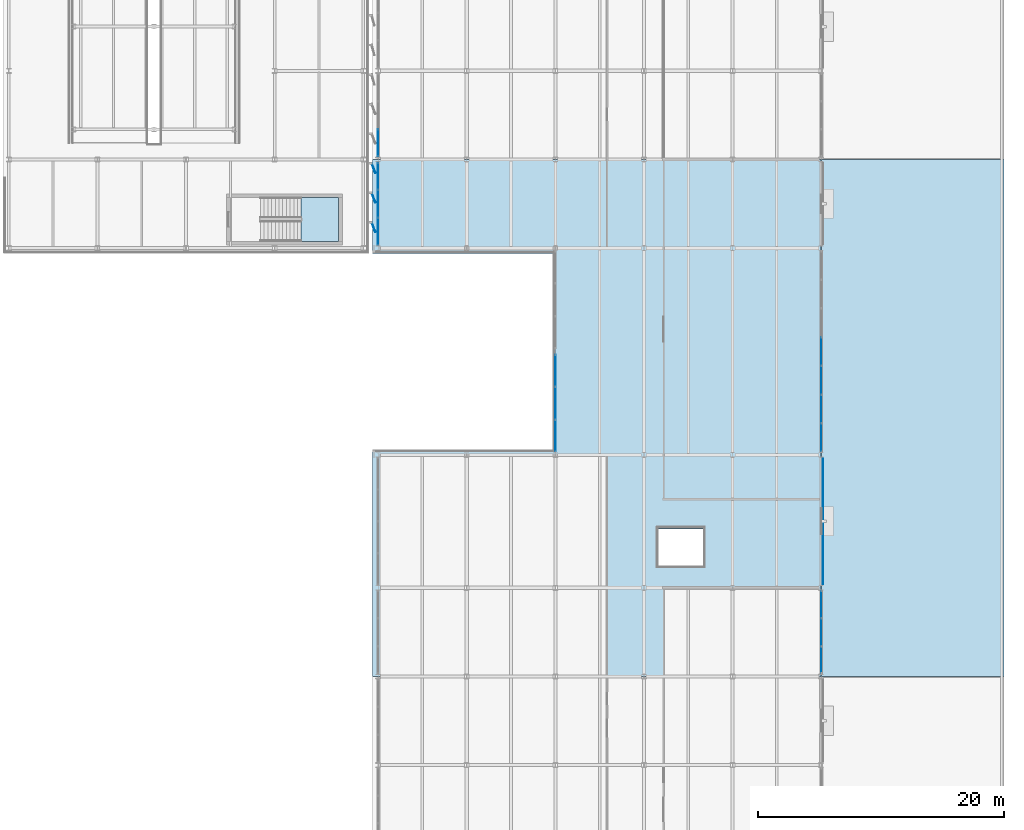
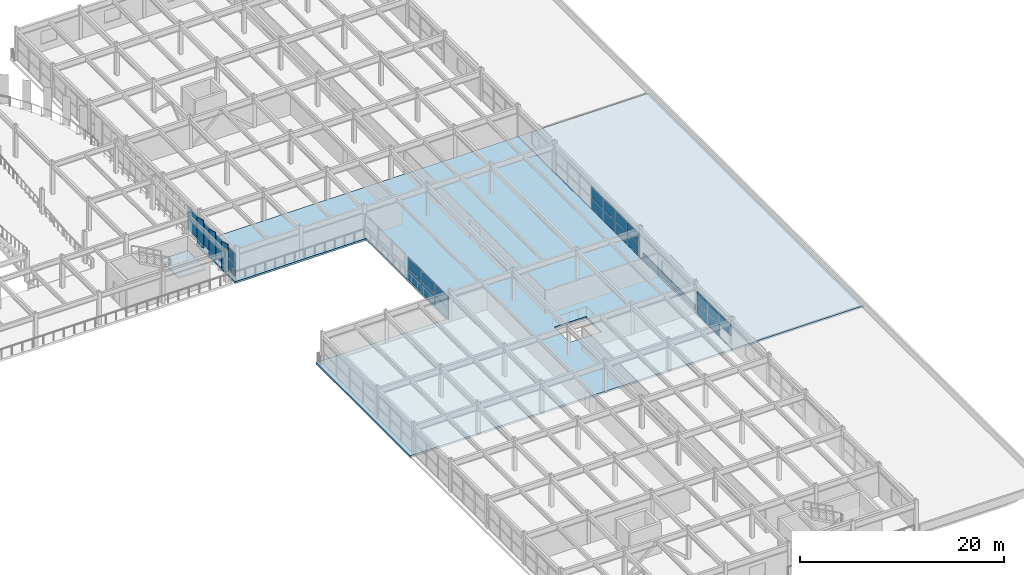
# One storey, part 44 of 80: 31 plates, 3 slabs, 6 elements without a shape of their own.
"""IFC4 building model written with IfcOpenShell, lengths in metres."""

import ifcopenshell
import ifcopenshell.guid

model = None  # the IFC model being written
_history = None  # IfcOwnerHistory: only IFC2X3 demands one
_inside = {}  # id of a spatial element -> (the spatial element, [elements in it])
_under = {}  # id of a project, library or spatial element -> (it, [spatial elements below it])
_declared = {}  # id of a project -> (the project, [libraries it declares])
_typed = {}  # id of a type object -> (the type object, [elements of that type])
_made_of = {}  # id of a material, layer set ... -> (it, [elements and type objects made of it])


def new_model(schema):
    """Start an empty IFC model of exactly this schema.

    Asked for "IFC4X3", IfcOpenShell would pick the latest addendum, in which some entities
    have other attributes; the version numbers below select the first issue.
    IFC2X3 requires an IfcOwnerHistory on every rooted entity: one is made here for all.
    """
    global model, _history
    if schema == "IFC4X3":
        model = ifcopenshell.file(schema_version=(4, 3, 0, 0))
    else:
        model = ifcopenshell.file(schema=schema)
    _inside.clear()
    _under.clear()
    _declared.clear()
    _typed.clear()
    _made_of.clear()
    _history = None
    if model.schema == "IFC2X3":
        org = make("IfcOrganization", Name="unknown")
        user = make(
            "IfcPersonAndOrganization",
            ThePerson=make("IfcPerson", FamilyName="unknown"),
            TheOrganization=org,
        )
        app = make(
            "IfcApplication",
            ApplicationDeveloper=org,
            Version="unknown",
            ApplicationFullName="unknown",
            ApplicationIdentifier="unknown",
        )
        _history = make(
            "IfcOwnerHistory",
            OwningUser=user,
            OwningApplication=app,
            ChangeAction="ADDED",
            CreationDate=0,
        )
    return model


def make(cls, **values):
    """One entity of the class cls with the attributes given. An attribute that is None is left unset."""
    return model.create_entity(
        cls, **{name: value for name, value in values.items() if value is not None}
    )


def rooted(cls, **values):
    """An entity with a GlobalId (a new one), such as an element, a storey or a relation."""
    return make(cls, GlobalId=ifcopenshell.guid.new(), OwnerHistory=_history, **values)


def si_unit(unit_type, name, prefix=None):
    """IfcSIUnit, for example si_unit("LENGTHUNIT", "METRE", prefix="MILLI")."""
    return make("IfcSIUnit", UnitType=unit_type, Prefix=prefix, Name=name)


def assignment(units):
    """IfcUnitAssignment: the units of a project."""
    return None if units is None else make("IfcUnitAssignment", Units=units)


def point(xyz):
    """IfcCartesianPoint."""
    return None if xyz is None else make("IfcCartesianPoint", Coordinates=xyz)


def direction(xyz):
    """IfcDirection."""
    return None if xyz is None else make("IfcDirection", DirectionRatios=xyz)


def frame(location, z_axis=None, x_axis=None):
    """IfcAxis2Placement3D, a coordinate frame: its origin and axes. An axis left out is left unset."""
    return make(
        "IfcAxis2Placement3D",
        Location=point(location),
        Axis=direction(z_axis),
        RefDirection=direction(x_axis),
    )


def frame_2d(location, x_axis=None):
    """IfcAxis2Placement2D, a coordinate frame in the plane: its origin and x axis."""
    return make(
        "IfcAxis2Placement2D", Location=point(location), RefDirection=direction(x_axis)
    )


def origin():
    """The frame at (0, 0, 0) with its axes left unset."""
    return frame((0.0, 0.0, 0.0))


def origin_2d():
    """The frame at (0, 0) in the plane with its x axis left unset."""
    return frame_2d((0.0, 0.0))


def place(relative_to, where):
    """IfcLocalPlacement: puts the frame where relative to a parent placement (None: the world)."""
    return make(
        "IfcLocalPlacement", PlacementRelTo=relative_to, RelativePlacement=where
    )


def context(
    kind, dimensions, precision=None, world=None, true_north=None, identifier=None
):
    """IfcGeometricRepresentationContext, for example the 3D "Model" context."""
    return make(
        "IfcGeometricRepresentationContext",
        ContextIdentifier=identifier,
        ContextType=kind,
        CoordinateSpaceDimension=dimensions,
        Precision=precision,
        WorldCoordinateSystem=world,
        TrueNorth=true_north,
    )


def subcontext(parent, identifier, kind, view, scale=None):
    """IfcGeometricRepresentationSubContext, for example "Body" below "Model"."""
    return make(
        "IfcGeometricRepresentationSubContext",
        ContextIdentifier=identifier,
        ContextType=kind,
        ParentContext=parent,
        TargetScale=scale,
        TargetView=view,
    )


def project(units=None, contexts=None):
    """IfcProject with its units and contexts."""
    return rooted(
        "IfcProject",
        Name="project",
        RepresentationContexts=contexts,
        UnitsInContext=assignment(units),
    )


def spatial(cls, under=None, at=None, **own):
    """A site, building, storey or space (cls), placed at a placement, below another one or the project."""
    s = rooted(cls, ObjectPlacement=at, **own)
    if under is not None:
        _under.setdefault(under.id(), (under, []))[1].append(s)
    return s


def polyline(points):
    """IfcPolyline through the points."""
    return make("IfcPolyline", Points=[point(p) for p in points])


def profile(cls, at=None, kind="AREA", **sizes):
    """A parametric profile (cls). Its sizes go by their IFC names, for example OverallWidth=200.0."""
    return make(cls, ProfileType=kind, Position=at, **sizes)


def rectangle(**sizes):
    """IfcRectangleProfileDef."""
    return profile("IfcRectangleProfileDef", **sizes)


def outline(outer, holes=None, kind="AREA"):
    """IfcArbitraryClosedProfileDef: a profile drawn as a closed curve; with holes, ...WithVoids."""
    if holes is None:
        return make("IfcArbitraryClosedProfileDef", ProfileType=kind, OuterCurve=outer)
    return make(
        "IfcArbitraryProfileDefWithVoids",
        ProfileType=kind,
        OuterCurve=outer,
        InnerCurves=holes,
    )


def extrude(swept, where, along, depth):
    """IfcExtrudedAreaSolid: the profile swept, set in the frame where, extruded along a direction by depth."""
    return make(
        "IfcExtrudedAreaSolid",
        SweptArea=swept,
        Position=where,
        ExtrudedDirection=direction(along),
        Depth=depth,
    )


def shape(context_of_items, identifier, shape_type, items):
    """IfcShapeRepresentation: the items that make up one representation, for example the "Body"."""
    return make(
        "IfcShapeRepresentation",
        ContextOfItems=context_of_items,
        RepresentationIdentifier=identifier,
        RepresentationType=shape_type,
        Items=items,
    )


def material(Name=None, Category=None):
    """IfcMaterial."""
    return make("IfcMaterial", Name=Name, Category=Category)


def layer(
    of_material, thickness, ventilated=None, Name=None, Category=None, Priority=None
):
    """IfcMaterialLayer: one layer of a wall or slab, of a material (None: an air gap)."""
    return make(
        "IfcMaterialLayer",
        Material=of_material,
        LayerThickness=thickness,
        IsVentilated=ventilated,
        Name=Name,
        Category=Category,
        Priority=Priority,
    )


def layer_set(layers, Name=None):
    """IfcMaterialLayerSet."""
    return make("IfcMaterialLayerSet", MaterialLayers=layers, LayerSetName=Name)


def made_of(thing, what):
    """Note that an element or type object is made of a material, layer set ...; save() writes the relation."""
    if what is not None:
        _made_of.setdefault(what.id(), (what, []))[1].append(thing)
    return thing


def type_object(cls, material=None, **own):
    """A type object (cls), such as IfcWallType, which elements share."""
    return made_of(rooted(cls, **own), material)


def element(
    cls,
    number,
    at=None,
    inside=None,
    cuts=None,
    type_object=None,
    material=None,
    context=None,
    identifier="Body",
    shape_type=None,
    held_by="IfcProductDefinitionShape",
    body=None,
    shapes=None,
    **own,
):
    """One element of the class cls, such as IfcWall. Its Tag is "e" and its number.

    at: its placement. inside: the storey or other place that contains it. cuts: it is an
    opening in that element (IfcRelVoidsElement). A single representation is given by context,
    identifier, shape_type and body (its items); several are given by shapes. held_by: the class
    of the entity that holds the representations. save() writes the other relations.
    """
    e = rooted(cls, Tag="e%d" % number, ObjectPlacement=at, **own)
    if body is not None:
        shapes = [shape(context, identifier, shape_type, body)]
    if shapes is not None:
        e.Representation = make(held_by, Representations=shapes)
    if inside is not None:
        _inside.setdefault(inside.id(), (inside, []))[1].append(e)
    if cuts is not None:
        rooted(
            "IfcRelVoidsElement", RelatingBuildingElement=cuts, RelatedOpeningElement=e
        )
    if type_object is not None:
        _typed.setdefault(type_object.id(), (type_object, []))[1].append(e)
    return made_of(e, material)


def aggregate(whole, parts):
    """IfcRelAggregates: a whole, such as a stair, and the parts it consists of."""
    return rooted("IfcRelAggregates", RelatingObject=whole, RelatedObjects=parts)


def save(model, path):
    """Write the relations noted so far, then the file.

    IfcRelAggregates (storeys below a building ...), IfcRelContainedInSpatialStructure (elements
    in a storey), IfcRelDefinesByType, IfcRelAssociatesMaterial and IfcRelDeclares: one each for
    every whole, place, type object, material and project.
    """
    for whole, parts in _under.values():
        aggregate(whole, parts)
    for where, things in _inside.values():
        rooted(
            "IfcRelContainedInSpatialStructure",
            RelatedElements=things,
            RelatingStructure=where,
        )
    for kind, things in _typed.values():
        rooted("IfcRelDefinesByType", RelatedObjects=things, RelatingType=kind)
    for what, things in _made_of.values():
        rooted("IfcRelAssociatesMaterial", RelatedObjects=things, RelatingMaterial=what)
    for by, libraries in _declared.values():
        rooted("IfcRelDeclares", RelatingContext=by, RelatedDefinitions=libraries)
    model.write(path)


model = new_model("IFC4")

# Units and contexts
model_context = context("Model", 3, precision=1e-05, world=origin(), true_north=direction((0.0, 1.0)))
body_context = subcontext(model_context, "Body", "Model", "MODEL_VIEW")
ifc_project = project(units=[si_unit("LENGTHUNIT", "METRE"), si_unit("AREAUNIT", "SQUARE_METRE"), si_unit("VOLUMEUNIT", "CUBIC_METRE"), si_unit("PLANEANGLEUNIT", "RADIAN"), si_unit("MASSUNIT", "GRAM", prefix="KILO")], contexts=[model_context])

# Site, building, storey
site_placement = place(None, origin())
site = spatial("IfcSite", under=ifc_project, at=site_placement, CompositionType="ELEMENT")
building_placement = place(site_placement, origin())
building = spatial("IfcBuilding", under=site, at=building_placement, Name="Vaelcorin Mobility Hub", CompositionType="ELEMENT")
storey_placement = place(building_placement, frame((0.0, 0.0, 9.300048828125)))
storey = spatial("IfcBuildingStorey", under=building, at=storey_placement, Name="L02", CompositionType="ELEMENT", Elevation=9.300048828125)

# Curtain wall, plates
ifc_material_1 = material(Name="Anodised aluminium 6063-T6", Category="aluminium")
curtain_wall_type = type_object("IfcCurtainWallType", Name="CW-MOB-A", PredefinedType="NOTDEFINED", material=ifc_material_1)
curtain_wall_1_placement = place(storey_placement, origin())
curtain_wall_1 = element("IfcCurtainWall", 1, at=curtain_wall_1_placement, inside=storey, type_object=curtain_wall_type, Name="L02 Curtain Wall CW-V5-L02-E-06", PredefinedType="NOTDEFINED")
ifc_material_2 = material(Name="Low-E solar-control insulated glazing", Category="glass")
ifc_layer_1 = layer(ifc_material_2, 0.028076171875)
ifc_layer_set_1 = layer_set([ifc_layer_1], Name="Low-E solar-control insulated glazing")
plate_type_1 = type_object("IfcPlateType", Name="CW-PAN-GLZ28", PredefinedType="CURTAIN_PANEL", material=ifc_layer_set_1)
plate_1_placement = place(storey_placement, frame((189.60009765625, 47.83837890625, 0.06005859375), z_axis=(0.0, 0.0, 1.0), x_axis=(0.0, -1.0, 0.0)))
plate_1 = element("IfcPlate", 2, at=plate_1_placement, type_object=plate_type_1, Name="CW7 panel 1.1", PredefinedType="CURTAIN_PANEL", context=body_context, shape_type="SweptSolid", body=[
    extrude(rectangle(XDim=2.163330078125, YDim=0.028076171875, at=origin_2d()), origin(), (0.0, 0.0, 1.0), 1.323974609375),
])
plate_2_placement = place(storey_placement, frame((189.60009765625, 47.83837890625, 1.44384765625), z_axis=(0.0, 0.0, 1.0), x_axis=(0.0, -1.0, 0.0)))
plate_2 = element("IfcPlate", 3, at=plate_2_placement, type_object=plate_type_1, Name="CW7 panel 1.2", PredefinedType="CURTAIN_PANEL", context=body_context, shape_type="SweptSolid", body=[
    extrude(rectangle(XDim=2.163330078125, YDim=0.028076171875, at=origin_2d()), origin(), (0.0, 0.0, 1.0), 1.323974609375),
])
plate_3_placement = place(storey_placement, frame((189.60009765625, 45.60009765625, 0.06005859375), z_axis=(0.0, 0.0, 1.0), x_axis=(0.0, -1.0, 0.0)))
plate_3 = element("IfcPlate", 4, at=plate_3_placement, type_object=plate_type_1, Name="CW7 panel 2.1", PredefinedType="CURTAIN_PANEL", context=body_context, shape_type="SweptSolid", body=[
    extrude(rectangle(XDim=2.193359375, YDim=0.028076171875, at=origin_2d()), origin(), (0.0, 0.0, 1.0), 1.323974609375),
])
plate_4_placement = place(storey_placement, frame((189.60009765625, 45.60009765625, 1.44384765625), z_axis=(0.0, 0.0, 1.0), x_axis=(0.0, -1.0, 0.0)))
plate_4 = element("IfcPlate", 5, at=plate_4_placement, type_object=plate_type_1, Name="CW7 panel 2.2", PredefinedType="CURTAIN_PANEL", context=body_context, shape_type="SweptSolid", body=[
    extrude(rectangle(XDim=2.193359375, YDim=0.028076171875, at=origin_2d()), origin(), (0.0, 0.0, 1.0), 1.323974609375),
])
plate_5_placement = place(storey_placement, frame((189.60009765625, 43.361572265625, 1.44384765625), z_axis=(0.0, 0.0, 1.0), x_axis=(0.0, -1.0, 0.0)))
plate_5 = element("IfcPlate", 6, at=plate_5_placement, type_object=plate_type_1, Name="CW7 panel 3.2", PredefinedType="CURTAIN_PANEL", context=body_context, shape_type="SweptSolid", body=[
    extrude(rectangle(XDim=2.163330078125, YDim=0.028076171875, at=origin_2d()), origin(), (0.0, 0.0, 1.0), 1.323974609375),
])
aggregate(curtain_wall_1, [plate_1, plate_2, plate_3, plate_4, plate_5])

curtain_wall_2_placement = place(storey_placement, origin())
curtain_wall_2 = element("IfcCurtainWall", 7, at=curtain_wall_2_placement, inside=storey, type_object=curtain_wall_type, Name="L02 Curtain Wall CW-V5-L02-E-08", PredefinedType="NOTDEFINED")
plate_6_placement = place(storey_placement, frame((189.60009765625, 68.39990234375, 0.06005859375), z_axis=(0.0, 0.0, 1.0), x_axis=(0.0, -1.0, 0.0)))
plate_6 = element("IfcPlate", 8, at=plate_6_placement, type_object=plate_type_1, Name="CW7 panel 4.1", PredefinedType="CURTAIN_PANEL", context=body_context, shape_type="SweptSolid", body=[
    extrude(rectangle(XDim=2.277099609375, YDim=0.028076171875, at=origin_2d()), origin(), (0.0, 0.0, 1.0), 1.323974609375),
])
plate_7_placement = place(storey_placement, frame((189.60009765625, 68.39990234375, 1.44384765625), z_axis=(0.0, 0.0, 1.0), x_axis=(0.0, -1.0, 0.0)))
plate_7 = element("IfcPlate", 9, at=plate_7_placement, type_object=plate_type_1, Name="CW7 panel 4.2", PredefinedType="CURTAIN_PANEL", context=body_context, shape_type="SweptSolid", body=[
    extrude(rectangle(XDim=2.277099609375, YDim=0.028076171875, at=origin_2d()), origin(), (0.0, 0.0, 1.0), 1.323974609375),
])
plate_8_placement = place(storey_placement, frame((189.60009765625, 66.062744140625, 0.06005859375), z_axis=(0.0, 0.0, 1.0), x_axis=(0.0, -1.0, 0.0)))
plate_8 = element("IfcPlate", 10, at=plate_8_placement, type_object=plate_type_1, Name="CW7 panel 5.1", PredefinedType="CURTAIN_PANEL", context=body_context, shape_type="SweptSolid", body=[
    extrude(rectangle(XDim=2.277099609375, YDim=0.028076171875, at=origin_2d()), origin(), (0.0, 0.0, 1.0), 1.323974609375),
])
plate_9_placement = place(storey_placement, frame((189.60009765625, 66.062744140625, 1.44384765625), z_axis=(0.0, 0.0, 1.0), x_axis=(0.0, -1.0, 0.0)))
plate_9 = element("IfcPlate", 11, at=plate_9_placement, type_object=plate_type_1, Name="CW7 panel 5.2", PredefinedType="CURTAIN_PANEL", context=body_context, shape_type="SweptSolid", body=[
    extrude(rectangle(XDim=2.277099609375, YDim=0.028076171875, at=origin_2d()), origin(), (0.0, 0.0, 1.0), 1.323974609375),
])
plate_10_placement = place(storey_placement, frame((189.60009765625, 63.725830078125, 0.06005859375), z_axis=(0.0, 0.0, 1.0), x_axis=(0.0, -1.0, 0.0)))
plate_10 = element("IfcPlate", 12, at=plate_10_placement, type_object=plate_type_1, Name="CW7 panel 6.1", PredefinedType="CURTAIN_PANEL", context=body_context, shape_type="SweptSolid", body=[
    extrude(rectangle(XDim=2.277099609375, YDim=0.028076171875, at=origin_2d()), origin(), (0.0, 0.0, 1.0), 1.323974609375),
])
plate_11_placement = place(storey_placement, frame((189.60009765625, 63.725830078125, 1.44384765625), z_axis=(0.0, 0.0, 1.0), x_axis=(0.0, -1.0, 0.0)))
plate_11 = element("IfcPlate", 13, at=plate_11_placement, type_object=plate_type_1, Name="CW7 panel 6.2", PredefinedType="CURTAIN_PANEL", context=body_context, shape_type="SweptSolid", body=[
    extrude(rectangle(XDim=2.277099609375, YDim=0.028076171875, at=origin_2d()), origin(), (0.0, 0.0, 1.0), 1.323974609375),
])
plate_12_placement = place(storey_placement, frame((189.60009765625, 61.403564453125, 0.06005859375), z_axis=(0.0, 0.0, 1.0), x_axis=(0.0, -1.0, 0.0)))
plate_12 = element("IfcPlate", 14, at=plate_12_placement, type_object=plate_type_1, Name="CW7 panel 7.1", PredefinedType="CURTAIN_PANEL", context=body_context, shape_type="SweptSolid", body=[
    extrude(rectangle(XDim=2.2470703125, YDim=0.028076171875, at=origin_2d()), origin(), (0.0, 0.0, 1.0), 1.323974609375),
])
plate_13_placement = place(storey_placement, frame((189.60009765625, 61.403564453125, 1.44384765625), z_axis=(0.0, 0.0, 1.0), x_axis=(0.0, -1.0, 0.0)))
plate_13 = element("IfcPlate", 15, at=plate_13_placement, type_object=plate_type_1, Name="CW7 panel 7.2", PredefinedType="CURTAIN_PANEL", context=body_context, shape_type="SweptSolid", body=[
    extrude(rectangle(XDim=2.2470703125, YDim=0.028076171875, at=origin_2d()), origin(), (0.0, 0.0, 1.0), 1.323974609375),
])
aggregate(curtain_wall_2, [plate_6, plate_7, plate_8, plate_9, plate_10, plate_11, plate_12, plate_13])

curtain_wall_3_placement = place(storey_placement, origin())
curtain_wall_3 = element("IfcCurtainWall", 16, at=curtain_wall_3_placement, inside=storey, type_object=curtain_wall_type, Name="L02 Curtain Wall CW-V5-L02-WN-01", PredefinedType="NOTDEFINED")
plate_14_placement = place(storey_placement, frame((153.60009765625, 78.16162109375, 0.06005859375), z_axis=(0.0, 0.0, 1.0), x_axis=(0.0, 1.0, 0.0)))
plate_14 = element("IfcPlate", 17, at=plate_14_placement, type_object=plate_type_1, Name="CW7 panel 1.1", PredefinedType="CURTAIN_PANEL", context=body_context, shape_type="SweptSolid", body=[
    extrude(rectangle(XDim=2.163330078125, YDim=0.028076171875, at=origin_2d()), origin(), (0.0, 0.0, 1.0), 1.323974609375),
])
plate_15_placement = place(storey_placement, frame((153.60009765625, 78.16162109375, 1.44384765625), z_axis=(0.0, 0.0, 1.0), x_axis=(0.0, 1.0, 0.0)))
plate_15 = element("IfcPlate", 18, at=plate_15_placement, type_object=plate_type_1, Name="CW7 panel 1.2", PredefinedType="CURTAIN_PANEL", context=body_context, shape_type="SweptSolid", body=[
    extrude(rectangle(XDim=2.163330078125, YDim=0.028076171875, at=origin_2d()), origin(), (0.0, 0.0, 1.0), 1.323974609375),
])
plate_16_placement = place(storey_placement, frame((153.60009765625, 80.39990234375, 0.06005859375), z_axis=(0.0, 0.0, 1.0), x_axis=(0.0, 1.0, 0.0)))
plate_16 = element("IfcPlate", 19, at=plate_16_placement, type_object=plate_type_1, Name="CW7 panel 2.1", PredefinedType="CURTAIN_PANEL", context=body_context, shape_type="SweptSolid", body=[
    extrude(rectangle(XDim=2.193359375, YDim=0.028076171875, at=origin_2d()), origin(), (0.0, 0.0, 1.0), 1.323974609375),
])
plate_17_placement = place(storey_placement, frame((153.60009765625, 80.39990234375, 1.44384765625), z_axis=(0.0, 0.0, 1.0), x_axis=(0.0, 1.0, 0.0)))
plate_17 = element("IfcPlate", 20, at=plate_17_placement, type_object=plate_type_1, Name="CW7 panel 2.2", PredefinedType="CURTAIN_PANEL", context=body_context, shape_type="SweptSolid", body=[
    extrude(rectangle(XDim=2.193359375, YDim=0.028076171875, at=origin_2d()), origin(), (0.0, 0.0, 1.0), 1.323974609375),
])
plate_18_placement = place(storey_placement, frame((153.60009765625, 82.638427734375, 0.06005859375), z_axis=(0.0, 0.0, 1.0), x_axis=(0.0, 1.0, 0.0)))
plate_18 = element("IfcPlate", 21, at=plate_18_placement, type_object=plate_type_1, Name="CW7 panel 3.1", PredefinedType="CURTAIN_PANEL", context=body_context, shape_type="SweptSolid", body=[
    extrude(rectangle(XDim=2.163330078125, YDim=0.028076171875, at=origin_2d()), origin(), (0.0, 0.0, 1.0), 1.323974609375),
])
plate_19_placement = place(storey_placement, frame((153.60009765625, 82.638427734375, 1.44384765625), z_axis=(0.0, 0.0, 1.0), x_axis=(0.0, 1.0, 0.0)))
plate_19 = element("IfcPlate", 22, at=plate_19_placement, type_object=plate_type_1, Name="CW7 panel 3.2", PredefinedType="CURTAIN_PANEL", context=body_context, shape_type="SweptSolid", body=[
    extrude(rectangle(XDim=2.163330078125, YDim=0.028076171875, at=origin_2d()), origin(), (0.0, 0.0, 1.0), 1.323974609375),
])
aggregate(curtain_wall_3, [plate_14, plate_15, plate_16, plate_17, plate_18, plate_19])

curtain_wall_4_placement = place(storey_placement, origin())
curtain_wall_4 = element("IfcCurtainWall", 23, at=curtain_wall_4_placement, inside=storey, type_object=curtain_wall_type, Name="L02 Curtain Wall CW-V5-L02-WN-02", PredefinedType="NOTDEFINED")
plate_20_placement = place(storey_placement, frame((153.60009765625, 85.361572265625, 0.06005859375), z_axis=(0.0, 0.0, 1.0), x_axis=(0.0, 1.0, 0.0)))
plate_20 = element("IfcPlate", 24, at=plate_20_placement, type_object=plate_type_1, Name="CW7 panel 1.1", PredefinedType="CURTAIN_PANEL", context=body_context, shape_type="SweptSolid", body=[
    extrude(rectangle(XDim=2.163330078125, YDim=0.028076171875, at=origin_2d()), origin(), (0.0, 0.0, 1.0), 1.323974609375),
])
plate_21_placement = place(storey_placement, frame((153.60009765625, 85.361572265625, 1.44384765625), z_axis=(0.0, 0.0, 1.0), x_axis=(0.0, 1.0, 0.0)))
plate_21 = element("IfcPlate", 25, at=plate_21_placement, type_object=plate_type_1, Name="CW7 panel 1.2", PredefinedType="CURTAIN_PANEL", context=body_context, shape_type="SweptSolid", body=[
    extrude(rectangle(XDim=2.163330078125, YDim=0.028076171875, at=origin_2d()), origin(), (0.0, 0.0, 1.0), 1.323974609375),
])
aggregate(curtain_wall_4, [plate_20, plate_21])

curtain_wall_5_placement = place(storey_placement, origin())
curtain_wall_5 = element("IfcCurtainWall", 26, at=curtain_wall_5_placement, inside=storey, type_object=curtain_wall_type, Name="L02 Curtain Wall CW-V5-L02-NOTCH-1", PredefinedType="NOTDEFINED")
plate_22_placement = place(storey_placement, frame((168.0, 61.561767578125, 0.06005859375), z_axis=(0.0, 0.0, 1.0), x_axis=(0.0, 1.0, 0.0)))
plate_22 = element("IfcPlate", 27, at=plate_22_placement, type_object=plate_type_1, Name="CW7 panel 1.1", PredefinedType="CURTAIN_PANEL", context=body_context, shape_type="SweptSolid", body=[
    extrude(rectangle(XDim=2.563232421875, YDim=0.028076171875, at=origin_2d()), origin(), (0.0, 0.0, 1.0), 1.323974609375),
])
plate_23_placement = place(storey_placement, frame((168.0, 61.561767578125, 1.44384765625), z_axis=(0.0, 0.0, 1.0), x_axis=(0.0, 1.0, 0.0)))
plate_23 = element("IfcPlate", 28, at=plate_23_placement, type_object=plate_type_1, Name="CW7 panel 1.2", PredefinedType="CURTAIN_PANEL", context=body_context, shape_type="SweptSolid", body=[
    extrude(rectangle(XDim=2.563232421875, YDim=0.028076171875, at=origin_2d()), origin(), (0.0, 0.0, 1.0), 1.323974609375),
])
plate_24_placement = place(storey_placement, frame((168.0, 64.199951171875, 0.06005859375), z_axis=(0.0, 0.0, 1.0), x_axis=(0.0, 1.0, 0.0)))
plate_24 = element("IfcPlate", 29, at=plate_24_placement, type_object=plate_type_1, Name="CW7 panel 2.1", PredefinedType="CURTAIN_PANEL", context=body_context, shape_type="SweptSolid", body=[
    extrude(rectangle(XDim=2.59326171875, YDim=0.028076171875, at=origin_2d()), origin(), (0.0, 0.0, 1.0), 1.323974609375),
])
plate_25_placement = place(storey_placement, frame((168.0, 64.199951171875, 1.44384765625), z_axis=(0.0, 0.0, 1.0), x_axis=(0.0, 1.0, 0.0)))
plate_25 = element("IfcPlate", 30, at=plate_25_placement, type_object=plate_type_1, Name="CW7 panel 2.2", PredefinedType="CURTAIN_PANEL", context=body_context, shape_type="SweptSolid", body=[
    extrude(rectangle(XDim=2.59326171875, YDim=0.028076171875, at=origin_2d()), origin(), (0.0, 0.0, 1.0), 1.323974609375),
])
plate_26_placement = place(storey_placement, frame((168.0, 66.83837890625, 0.06005859375), z_axis=(0.0, 0.0, 1.0), x_axis=(0.0, 1.0, 0.0)))
plate_26 = element("IfcPlate", 31, at=plate_26_placement, type_object=plate_type_1, Name="CW7 panel 3.1", PredefinedType="CURTAIN_PANEL", context=body_context, shape_type="SweptSolid", body=[
    extrude(rectangle(XDim=2.563232421875, YDim=0.028076171875, at=origin_2d()), origin(), (0.0, 0.0, 1.0), 1.323974609375),
])
plate_27_placement = place(storey_placement, frame((168.0, 66.83837890625, 1.44384765625), z_axis=(0.0, 0.0, 1.0), x_axis=(0.0, 1.0, 0.0)))
plate_27 = element("IfcPlate", 32, at=plate_27_placement, type_object=plate_type_1, Name="CW7 panel 3.2", PredefinedType="CURTAIN_PANEL", context=body_context, shape_type="SweptSolid", body=[
    extrude(rectangle(XDim=2.563232421875, YDim=0.028076171875, at=origin_2d()), origin(), (0.0, 0.0, 1.0), 1.323974609375),
])
aggregate(curtain_wall_5, [plate_22, plate_23, plate_24, plate_25, plate_26, plate_27])

# Plates
ifc_material_3 = material(Name="Extruded terracotta-bronze rainscreen panel", Category="masonry")
ifc_layer_2 = layer(ifc_material_3, 0.02197265625)
ifc_layer_set_2 = layer_set([ifc_layer_2], Name="Extruded terracotta-bronze rainscreen panel")
plate_type_2 = type_object("IfcPlateType", Name="PL-CLAD-22", PredefinedType="SHEET", material=ifc_layer_set_2)
plate_28_placement = place(storey_placement, frame((189.740966796875, 54.60009765625, 0.0498046875), z_axis=(0.0, 0.0, 1.0), x_axis=(1.0, 0.0, 0.0)))
element("IfcPlate", 33, at=plate_28_placement, inside=storey, type_object=plate_type_2, Name="Terracotta-Bronze Rainscreen Spandrel L02-07", PredefinedType="SHEET", context=body_context, shape_type="SweptSolid", body=[
    extrude(rectangle(XDim=0.02197265625, YDim=10.199951171875, at=origin_2d()), origin(), (0.0, 0.0, 1.0), 0.699951171875),
])
ifc_material_4 = material(Name="Perforated terracotta-bronze aluminium aerofoil", Category="masonry")
ifc_layer_3 = layer(ifc_material_4, 0.06005859375)
ifc_layer_set_3 = layer_set([ifc_layer_3], Name="Perforated terracotta-bronze aluminium aerofoil")
plate_type_3 = type_object("IfcPlateType", Name="PL-FIN-AF1", PredefinedType="SHEET", material=ifc_layer_set_3)
for number, where, z_axis, x_axis, name in (
    (34, (153.235107421875, 83.301025390625, -0.16015625), (0.0, 0.0, 1.0), (0.342020143326, -0.939692620786, 0.0), "Rotating Terracotta-Bronze Aerofoil Fin FIN-V2E-L02-E-AF-08"),
    (35, (153.235107421875, 80.90087890625, -0.16015625), (0.0, 0.0, 1.0), (0.342020143326, -0.939692620786, 0.0), "Rotating Terracotta-Bronze Aerofoil Fin FIN-V2E-L02-E-AF-09"),
    (36, (153.235107421875, 78.5009765625, -0.16015625), (0.0, 0.0, 1.0), (0.342020143326, -0.939692620786, 0.0), "Rotating Terracotta-Bronze Aerofoil Fin FIN-V2E-L02-E-AF-10"),
):
    element("IfcPlate", number, at=place(storey_placement, frame(where, z_axis=z_axis, x_axis=x_axis)), inside=storey, type_object=plate_type_3, Name=name, PredefinedType="SHEET", context=body_context, shape_type="SweptSolid", body=[
        extrude(rectangle(XDim=0.85009765625, YDim=0.06005859375, at=origin_2d()), origin(), (0.0, 0.0, 1.0), 3.5),
    ])

# Stair, slab
ifc_material_5 = material(Name="Reinforced concrete f'c 45 MPa", Category="concrete")
stair_type = type_object("IfcStairType", Name="STAIR-ST2", PredefinedType="HALF_TURN_STAIR", material=ifc_material_5)
stair_placement = place(storey_placement, origin())
stair = element("IfcStair", 37, at=stair_placement, inside=storey, type_object=stair_type, Name="L02 Protected Exit Stair ST2", PredefinedType="HALF_TURN_STAIR")
ifc_layer_4 = layer(ifc_material_5, 0.199951171875)
ifc_layer_set_4 = layer_set([ifc_layer_4], Name="Reinforced concrete f'c 45 MPa")
slab_type_1 = type_object("IfcSlabType", Name="SLAB-LND-200", PredefinedType="LANDING", material=ifc_layer_set_4)
slab_1_placement = place(storey_placement, frame((0.0, 0.0, 1.75)))
slab_1 = element("IfcSlab", 38, at=slab_1_placement, type_object=slab_type_1, Name="ST2 landing 1", PredefinedType="LANDING", context=body_context, shape_type="SweptSolid", body=[
    extrude(outline(polyline([(147.35009765625, 77.35009765625), (150.39990234375, 77.35009765625), (150.39990234375, 80.909912109375), (147.35009765625, 80.909912109375), (147.35009765625, 77.35009765625)])), origin(), (0.0, 0.0, 1.0), 0.199951171875),
])
aggregate(stair, [slab_1])

# Slabs
ifc_material_6 = material(Name="Concrete f'c 35 MPa", Category="concrete")
ifc_layer_5 = layer(ifc_material_6, 0.22998046875)
ifc_layer_set_5 = layer_set([ifc_layer_5], Name="Concrete f'c 35 MPa")
slab_type_2 = type_object("IfcSlabType", Name="SLAB-PK3", PredefinedType="FLOOR", material=ifc_layer_set_5)
slab_2_placement = place(storey_placement, frame((0.0, 0.0, -0.22998046875)))
element("IfcSlab", 39, at=slab_2_placement, inside=storey, type_object=slab_type_2, Name="L02 Mobility Workshop Floor SL-V5-L02-M", PredefinedType="FLOOR", context=body_context, shape_type="SweptSolid", body=[
    extrude(outline(polyline([(153.14990234375, 42.0), (153.14990234375, 60.449951171875), (168.0, 60.449951171875), (168.0, 76.35009765625), (153.14990234375, 76.35009765625), (153.14990234375, 84.0), (189.60009765625, 84.0), (189.60009765625, 42.0), (153.14990234375, 42.0)]), holes=[polyline([(180.0, 54.0), (176.39990234375, 54.0), (176.39990234375, 51.0), (180.0, 51.0), (180.0, 54.0)])]), origin(), (0.0, 0.0, 1.0), 0.22998046875),
])
ifc_layer_6 = layer(ifc_material_6, 0.199951171875)
ifc_layer_set_6 = layer_set([ifc_layer_6], Name="Concrete f'c 35 MPa")
slab_type_3 = type_object("IfcSlabType", Name="SLAB-RF-V5E", PredefinedType="ROOF", material=ifc_layer_set_6)
slab_3_placement = place(storey_placement, frame((0.0, 0.0, -0.199951171875)))
element("IfcSlab", 40, at=slab_3_placement, inside=storey, type_object=slab_type_3, Name="L02 East Cycle Wing Roof SL-V5E-RF-M", PredefinedType="ROOF", context=body_context, shape_type="SweptSolid", body=[
    extrude(outline(polyline([(204.449951171875, 42.0), (189.610107421875, 42.0), (189.610107421875, 84.0), (204.449951171875, 84.0), (204.449951171875, 42.0)])), origin(), (0.0, 0.0, 1.0), 0.199951171875),
])

save(model, "model.ifc")
